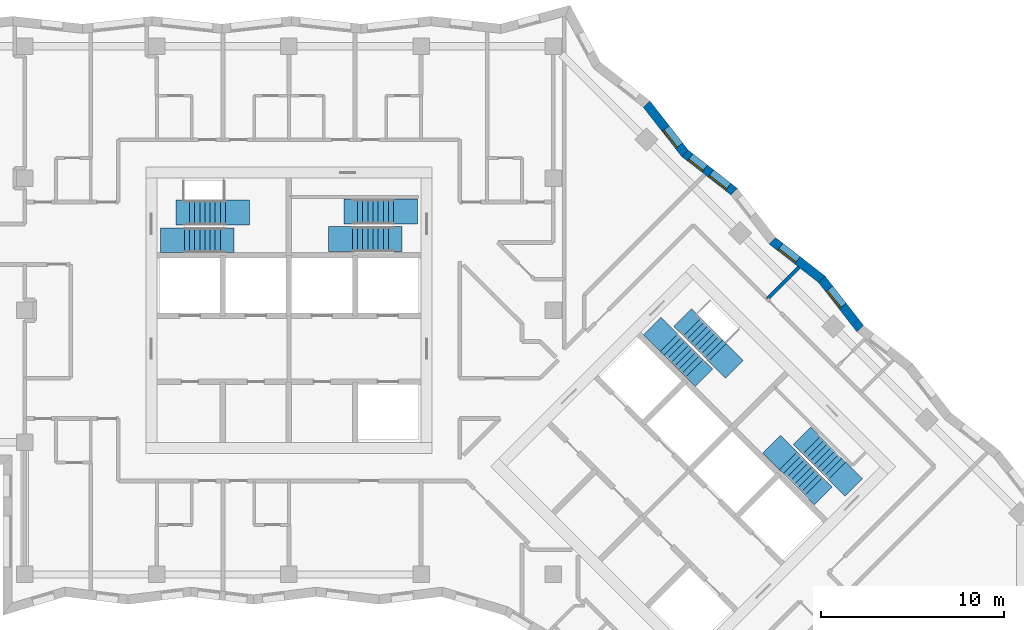
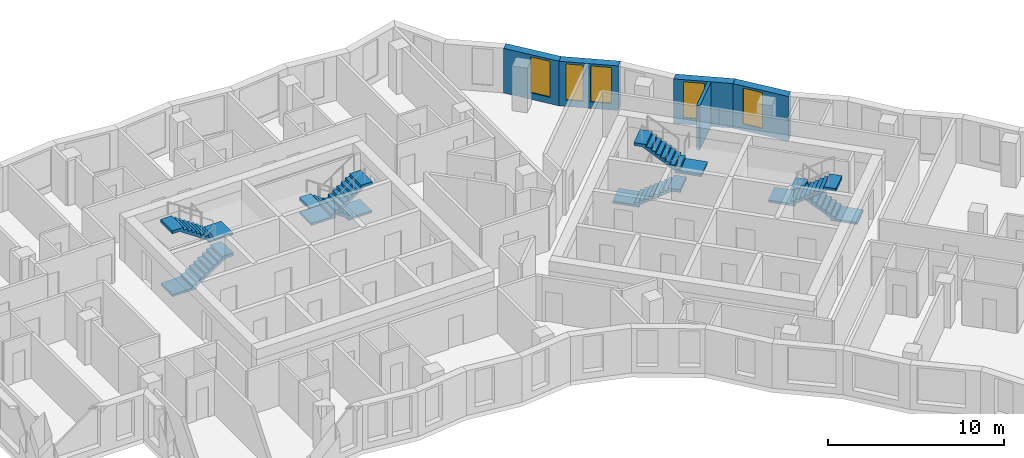
# One storey, part 10 of 12: 8 stair flights, 5 walls, 5 windows, 5 openings, 4 elements without a shape of their own.
"""IFC4 building model written with IfcOpenShell, lengths in metres."""

from ifc_helpers import new_model, si_unit, direction, frame, frame_2d, origin, place, context, subcontext, project, spatial, polyline, rectangle, outline, extrude, material, layer, layer_set, type_object, element, fill, aggregate, save


model = new_model("IFC4")

# Units and contexts
model_context = context("Model", 3, precision=1e-05, world=origin(), true_north=direction((0.0, 1.0)))
body_context = subcontext(model_context, "Body", "Model", "MODEL_VIEW")
ifc_project = project(units=[si_unit("LENGTHUNIT", "METRE"), si_unit("AREAUNIT", "SQUARE_METRE"), si_unit("VOLUMEUNIT", "CUBIC_METRE"), si_unit("PLANEANGLEUNIT", "RADIAN"), si_unit("MASSUNIT", "GRAM", prefix="KILO")], contexts=[model_context])

# Site, building, storey
site_placement = place(None, origin())
site = spatial("IfcSite", under=ifc_project, at=site_placement, CompositionType="ELEMENT")
building_placement = place(site_placement, origin())
building = spatial("IfcBuilding", under=site, at=building_placement, Name="Windrow Commons", CompositionType="ELEMENT")
storey_placement = place(building_placement, frame((0.0, 0.0, 149.0)))
storey = spatial("IfcBuildingStorey", under=building, at=storey_placement, Name="L40", CompositionType="ELEMENT", Elevation=149.0)

# Wall, opening, window
ifc_material_1 = material(Name="Brick masonry, red clay brick", Category="masonry")
ifc_layer_1 = layer(ifc_material_1, 0.5)
ifc_layer_set_1 = layer_set([ifc_layer_1], Name="Brick facade wall 500")
wall_type_1 = type_object("IfcWallType", Name="Brick facade wall 500", PredefinedType="SOLIDWALL", material=ifc_layer_set_1)
wall_1_placement = place(storey_placement, frame((95.9336, 56.6073, 0.0), z_axis=(0.0, 0.0, 1.0), x_axis=(-0.6142030344, 0.7891480422, 0.0)))
wall_1 = element("IfcWall", 1, at=wall_1_placement, inside=storey, type_object=wall_type_1, Name="Brick facade wall L40 12", PredefinedType="SOLIDWALL", context=body_context, shape_type="SweptSolid", body=[
    extrude(outline(polyline([(0.0312, -0.25), (3.434, -0.25), (3.3716, 0.25), (-0.0312, 0.25), (0.0312, -0.25)])), origin(), (0.0, 0.0, 1.0), 3.1),
])
opening_1_placement = place(wall_1_placement, frame((1.5485, 0.0, 0.45)))
opening_1 = element("IfcOpeningElement", 2, at=opening_1_placement, cuts=wall_1, Name="Opening W7E", PredefinedType="OPENING", context=body_context, shape_type="SweptSolid", body=[
    extrude(rectangle(XDim=1.2, YDim=2.5, at=frame_2d((0.6, 1.25))), frame((0.0, 0.26, 0.0), z_axis=(0.0, -1.0, 0.0), x_axis=(1.0, 0.0, 0.0)), (0.0, 0.0, 1.0), 0.52),
])
ifc_material_2 = material(Name="Clear float glass in anodised aluminium frame", Category="aluminium")
window_type_1 = type_object("IfcWindowType", Name="Window W7 notch 1200x2500", PartitioningType="SINGLE_PANEL", PredefinedType="WINDOW", material=ifc_material_2)
window_1_placement = place(opening_1_placement, origin())
window_1 = element("IfcWindow", 3, at=window_1_placement, inside=storey, type_object=window_type_1, Name="Window L40 12.1", OverallHeight=2.5, OverallWidth=1.2, PartitioningType="SINGLE_PANEL", PredefinedType="WINDOW", context=body_context, shape_type="SweptSolid", body=[
    extrude(rectangle(XDim=1.2, YDim=2.5, at=frame_2d((0.6, 1.25))), frame((0.0, 0.18, 0.0), z_axis=(0.0, -1.0, 0.0), x_axis=(1.0, 0.0, 0.0)), (0.0, 0.0, 1.0), 0.06),
])
fill(opening_1, window_1)

wall_2_placement = place(storey_placement, frame((93.8436, 59.2926, 0.0), z_axis=(0.0, 0.0, 1.0), x_axis=(-0.7891591282, 0.6141887905, 0.0)))
wall_2 = element("IfcWall", 4, at=wall_2_placement, inside=storey, type_object=wall_type_1, Name="Brick facade wall L40 13", PredefinedType="SOLIDWALL", context=body_context, shape_type="SweptSolid", body=[
    extrude(outline(polyline([(-0.0312, -0.25), (3.3716, -0.25), (3.434, 0.25), (0.0312, 0.25), (-0.0312, -0.25)])), origin(), (0.0, 0.0, 1.0), 3.1),
])
opening_2_placement = place(wall_2_placement, frame((1.6766, 0.0, 0.45)))
opening_2 = element("IfcOpeningElement", 5, at=opening_2_placement, cuts=wall_2, Name="Opening W7E", PredefinedType="OPENING", context=body_context, shape_type="SweptSolid", body=[
    extrude(rectangle(XDim=1.2, YDim=2.5, at=frame_2d((0.6, 1.25))), frame((0.0, 0.26, 0.0), z_axis=(0.0, -1.0, 0.0), x_axis=(1.0, 0.0, 0.0)), (0.0, 0.0, 1.0), 0.52),
])
window_2_placement = place(opening_2_placement, origin())
window_2 = element("IfcWindow", 6, at=window_2_placement, inside=storey, type_object=window_type_1, Name="Window L40 13.1", OverallHeight=2.5, OverallWidth=1.2, PartitioningType="SINGLE_PANEL", PredefinedType="WINDOW", context=body_context, shape_type="SweptSolid", body=[
    extrude(rectangle(XDim=1.2, YDim=2.5, at=frame_2d((0.6, 1.25))), frame((0.0, 0.18, 0.0), z_axis=(0.0, -1.0, 0.0), x_axis=(1.0, 0.0, 0.0)), (0.0, 0.0, 1.0), 0.06),
])
fill(opening_2, window_2)

# Wall, openings, windows
wall_3_placement = place(storey_placement, frame((89.0683, 64.0679, 0.0), z_axis=(0.0, 0.0, 1.0), x_axis=(-0.7891591282, 0.6141887905, 0.0)))
wall_3 = element("IfcWall", 7, at=wall_3_placement, inside=storey, type_object=wall_type_1, Name="Brick facade wall L40 15", PredefinedType="SOLIDWALL", context=body_context, shape_type="SweptSolid", body=[
    extrude(outline(polyline([(-0.0312, -0.25), (3.3716, -0.25), (3.434, 0.25), (0.0312, 0.25), (-0.0312, -0.25)])), origin(), (0.0, 0.0, 1.0), 3.1),
])
opening_3_placement = place(wall_3_placement, frame((0.4159, 0.0, 0.45)))
opening_3 = element("IfcOpeningElement", 8, at=opening_3_placement, cuts=wall_3, Name="Opening W7E", PredefinedType="OPENING", context=body_context, shape_type="SweptSolid", body=[
    extrude(rectangle(XDim=1.2, YDim=2.5, at=frame_2d((0.6, 1.25))), frame((0.0, 0.26, 0.0), z_axis=(0.0, -1.0, 0.0), x_axis=(1.0, 0.0, 0.0)), (0.0, 0.0, 1.0), 0.52),
])
opening_4_placement = place(wall_3_placement, frame((2.0429, 0.0, 0.45)))
opening_4 = element("IfcOpeningElement", 9, at=opening_4_placement, cuts=wall_3, Name="Opening W1S", PredefinedType="OPENING", context=body_context, shape_type="SweptSolid", body=[
    extrude(rectangle(XDim=1.0, YDim=2.5, at=frame_2d((0.5, 1.25))), frame((0.0, 0.26, 0.0), z_axis=(0.0, -1.0, 0.0), x_axis=(1.0, 0.0, 0.0)), (0.0, 0.0, 1.0), 0.52),
])
ifc_material_3 = material(Name="Clear float glass in anodised aluminium frame", Category="aluminium")
window_type_2 = type_object("IfcWindowType", Name="Window W1S slit 1000x2500", PartitioningType="SINGLE_PANEL", PredefinedType="WINDOW", material=ifc_material_3)
window_3_placement = place(opening_4_placement, origin())
window_3 = element("IfcWindow", 10, at=window_3_placement, inside=storey, type_object=window_type_2, Name="Window L40 15.2A", OverallHeight=2.5, OverallWidth=1.0, PartitioningType="SINGLE_PANEL", PredefinedType="WINDOW", context=body_context, shape_type="SweptSolid", body=[
    extrude(rectangle(XDim=1.0, YDim=2.5, at=frame_2d((0.5, 1.25))), frame((0.0, 0.18, 0.0), z_axis=(0.0, -1.0, 0.0), x_axis=(1.0, 0.0, 0.0)), (0.0, 0.0, 1.0), 0.06),
])
fill(opening_4, window_3)
window_4_placement = place(opening_3_placement, origin())
window_4 = element("IfcWindow", 11, at=window_4_placement, inside=storey, type_object=window_type_1, Name="Window L40 15.1", OverallHeight=2.5, OverallWidth=1.2, PartitioningType="SINGLE_PANEL", PredefinedType="WINDOW", context=body_context, shape_type="SweptSolid", body=[
    extrude(rectangle(XDim=1.2, YDim=2.5, at=frame_2d((0.6, 1.25))), frame((0.0, 0.18, 0.0), z_axis=(0.0, -1.0, 0.0), x_axis=(1.0, 0.0, 0.0)), (0.0, 0.0, 1.0), 0.06),
])
fill(opening_3, window_4)

# Wall, opening, window
wall_4_placement = place(storey_placement, frame((86.3829, 66.1579, 0.0), z_axis=(0.0, 0.0, 1.0), x_axis=(-0.6141887905, 0.7891591282, 0.0)))
wall_4 = element("IfcWall", 12, at=wall_4_placement, inside=storey, type_object=wall_type_1, Name="Brick facade wall L40 16", PredefinedType="SOLIDWALL", context=body_context, shape_type="SweptSolid", body=[
    extrude(outline(polyline([(0.0312, -0.25), (3.434, -0.25), (3.3716, 0.25), (-0.0312, 0.25), (0.0312, -0.25)])), origin(), (0.0, 0.0, 1.0), 3.1),
])
opening_5_placement = place(wall_4_placement, frame((0.5128, 0.0, 0.45)))
opening_5 = element("IfcOpeningElement", 13, at=opening_5_placement, cuts=wall_4, Name="Opening W7E", PredefinedType="OPENING", context=body_context, shape_type="SweptSolid", body=[
    extrude(rectangle(XDim=1.2, YDim=2.5, at=frame_2d((0.6, 1.25))), frame((0.0, 0.26, 0.0), z_axis=(0.0, -1.0, 0.0), x_axis=(1.0, 0.0, 0.0)), (0.0, 0.0, 1.0), 0.52),
])
window_5_placement = place(opening_5_placement, origin())
window_5 = element("IfcWindow", 14, at=window_5_placement, inside=storey, type_object=window_type_1, Name="Window L40 16.1", OverallHeight=2.5, OverallWidth=1.2, PartitioningType="SINGLE_PANEL", PredefinedType="WINDOW", context=body_context, shape_type="SweptSolid", body=[
    extrude(rectangle(XDim=1.2, YDim=2.5, at=frame_2d((0.6, 1.25))), frame((0.0, 0.18, 0.0), z_axis=(0.0, -1.0, 0.0), x_axis=(1.0, 0.0, 0.0)), (0.0, 0.0, 1.0), 0.06),
])
fill(opening_5, window_5)

# Wall
ifc_material_4 = material(Name="Blockwork partition", Category="masonry")
ifc_layer_2 = layer(ifc_material_4, 0.2)
ifc_layer_set_2 = layer_set([ifc_layer_2], Name="IW-PARTY-200")
wall_type_2 = type_object("IfcWallType", Name="IW-PARTY-200", PredefinedType="PARTITIONING", material=ifc_layer_set_2)
wall_5_placement = place(storey_placement, frame((90.8669, 58.2131, 0.0), z_axis=(0.0, 0.0, 1.0), x_axis=(0.7066165577, 0.707596665, 0.0)))
element("IfcWall", 15, at=wall_5_placement, inside=storey, type_object=wall_type_2, Name="W-L40-W096", PredefinedType="PARTITIONING", context=body_context, shape_type="SweptSolid", body=[
    extrude(rectangle(XDim=2.4487, YDim=0.2, at=frame_2d((1.2244, 0.0))), origin(), (0.0, 0.0, 1.0), 3.1),
])

# Stair, stair flights
ifc_material_5 = material(Name="Concrete C40/50", Category="concrete")
stair_type = type_object("IfcStairType", Name="Core stair", PredefinedType="HALF_TURN_STAIR", material=ifc_material_5)
placement = place(storey_placement, origin())
stair_1 = element("IfcStair", 16, at=placement, inside=storey, type_object=stair_type, Name="L40 Exit stair A1 core A", PredefinedType="HALF_TURN_STAIR")
ifc_material_6 = material(Name="Concrete C40/50", Category="concrete")
stair_flight_type = type_object("IfcStairFlightType", Name="Core stair flight", PredefinedType="STRAIGHT", material=ifc_material_6)
stair_flight_1_placement = place(storey_placement, frame((59.1, 61.425, 0.0), z_axis=(0.0, 0.0, 1.0), x_axis=(1.0, 0.0, 0.0)))
stair_flight_1 = element("IfcStairFlight", 17, at=stair_flight_1_placement, type_object=stair_flight_type, Name="ST-A1 flight 1", NumberOfRisers=9, NumberOfTreads=8, PredefinedType="STRAIGHT", RiserHeight=0.188888889, TreadLength=0.28, context=body_context, shape_type="SweptSolid", body=[
    extrude(outline(polyline([(-1.3, -0.15), (-1.3, 0.0), (0.0, 0.0), (0.0, 0.1889), (0.28, 0.1889), (0.28, 0.3778), (0.56, 0.3778), (0.56, 0.5667), (0.84, 0.5667), (0.84, 0.7556), (1.12, 0.7556), (1.12, 0.9444), (1.4, 0.9444), (1.4, 1.1333), (1.68, 1.1333), (1.68, 1.3222), (1.96, 1.3222), (1.96, 1.5111), (2.24, 1.5111), (2.69, 1.5111), (2.69, 1.3111), (2.24, 1.3111), (2.24, 1.3302), (0.2682, 0.0), (0.2682, -0.15), (-1.3, -0.15)])), frame((0.0, 0.675, 0.0), z_axis=(0.0, -1.0, 0.0), x_axis=(1.0, 0.0, 0.0)), (0.0, 0.0, 1.0), 1.35),
])
stair_flight_2_placement = place(storey_placement, frame((61.34, 62.925, 1.7), z_axis=(0.0, 0.0, 1.0), x_axis=(-1.0, 0.0, 0.0)))
stair_flight_2 = element("IfcStairFlight", 18, at=stair_flight_2_placement, type_object=stair_flight_type, Name="ST-A1 flight 2", NumberOfRisers=9, NumberOfTreads=8, PredefinedType="STRAIGHT", RiserHeight=0.188888889, TreadLength=0.28, context=body_context, shape_type="SweptSolid", body=[
    extrude(outline(polyline([(-1.3, -0.15), (-1.3, 0.0), (0.0, 0.0), (0.0, 0.1889), (0.28, 0.1889), (0.28, 0.3778), (0.56, 0.3778), (0.56, 0.5667), (0.84, 0.5667), (0.84, 0.7556), (1.12, 0.7556), (1.12, 0.9444), (1.4, 0.9444), (1.4, 1.1333), (1.68, 1.1333), (1.68, 1.3222), (1.96, 1.3222), (1.96, 1.5111), (2.24, 1.5111), (2.69, 1.5111), (2.69, 1.3111), (2.24, 1.3111), (2.24, 1.3302), (0.2682, 0.0), (0.2682, -0.15), (-1.3, -0.15)])), frame((0.0, 0.675, 0.0), z_axis=(0.0, -1.0, 0.0), x_axis=(1.0, 0.0, 0.0)), (0.0, 0.0, 1.0), 1.35),
])
aggregate(stair_1, [stair_flight_1, stair_flight_2])

stair_2 = element("IfcStair", 19, at=placement, inside=storey, type_object=stair_type, Name="L40 Exit stair A2 core A", PredefinedType="HALF_TURN_STAIR")
stair_flight_3_placement = place(storey_placement, frame((70.5, 62.98, 0.0), z_axis=(0.0, 0.0, 1.0), x_axis=(-1.0, 0.0, 0.0)))
stair_flight_3 = element("IfcStairFlight", 20, at=stair_flight_3_placement, type_object=stair_flight_type, Name="ST-A2 flight 1", NumberOfRisers=9, NumberOfTreads=8, PredefinedType="STRAIGHT", RiserHeight=0.188888889, TreadLength=0.28, context=body_context, shape_type="SweptSolid", body=[
    extrude(outline(polyline([(-1.3, -0.15), (-1.3, 0.0), (0.0, 0.0), (0.0, 0.1889), (0.28, 0.1889), (0.28, 0.3778), (0.56, 0.3778), (0.56, 0.5667), (0.84, 0.5667), (0.84, 0.7556), (1.12, 0.7556), (1.12, 0.9444), (1.4, 0.9444), (1.4, 1.1333), (1.68, 1.1333), (1.68, 1.3222), (1.96, 1.3222), (1.96, 1.5111), (2.24, 1.5111), (2.69, 1.5111), (2.69, 1.3111), (2.24, 1.3111), (2.24, 1.3302), (0.2682, 0.0), (0.2682, -0.15), (-1.3, -0.15)])), frame((0.0, 0.675, 0.0), z_axis=(0.0, -1.0, 0.0), x_axis=(1.0, 0.0, 0.0)), (0.0, 0.0, 1.0), 1.35),
])
stair_flight_4_placement = place(storey_placement, frame((68.26, 61.48, 1.7), z_axis=(0.0, 0.0, 1.0), x_axis=(1.0, 0.0, 0.0)))
stair_flight_4 = element("IfcStairFlight", 21, at=stair_flight_4_placement, type_object=stair_flight_type, Name="ST-A2 flight 2", NumberOfRisers=9, NumberOfTreads=8, PredefinedType="STRAIGHT", RiserHeight=0.188888889, TreadLength=0.28, context=body_context, shape_type="SweptSolid", body=[
    extrude(outline(polyline([(-1.3, -0.15), (-1.3, 0.0), (0.0, 0.0), (0.0, 0.1889), (0.28, 0.1889), (0.28, 0.3778), (0.56, 0.3778), (0.56, 0.5667), (0.84, 0.5667), (0.84, 0.7556), (1.12, 0.7556), (1.12, 0.9444), (1.4, 0.9444), (1.4, 1.1333), (1.68, 1.1333), (1.68, 1.3222), (1.96, 1.3222), (1.96, 1.5111), (2.24, 1.5111), (2.69, 1.5111), (2.69, 1.3111), (2.24, 1.3111), (2.24, 1.3302), (0.2682, 0.0), (0.2682, -0.15), (-1.3, -0.15)])), frame((0.0, 0.675, 0.0), z_axis=(0.0, -1.0, 0.0), x_axis=(1.0, 0.0, 0.0)), (0.0, 0.0, 1.0), 1.35),
])
aggregate(stair_2, [stair_flight_3, stair_flight_4])

stair_3 = element("IfcStair", 22, at=placement, inside=storey, type_object=stair_type, Name="L40 Exit stair B1 core B", PredefinedType="HALF_TURN_STAIR")
stair_flight_5_placement = place(storey_placement, frame((85.5109, 55.8249, 0.0), z_axis=(0.0, 0.0, 1.0), x_axis=(0.7071067812, -0.7071067812, 0.0)))
stair_flight_5 = element("IfcStairFlight", 23, at=stair_flight_5_placement, type_object=stair_flight_type, Name="ST-B1 flight 1", NumberOfRisers=9, NumberOfTreads=8, PredefinedType="STRAIGHT", RiserHeight=0.188888889, TreadLength=0.28, context=body_context, shape_type="SweptSolid", body=[
    extrude(outline(polyline([(-1.3, -0.15), (-1.3, 0.0), (0.0, 0.0), (0.0, 0.1889), (0.28, 0.1889), (0.28, 0.3778), (0.56, 0.3778), (0.56, 0.5667), (0.84, 0.5667), (0.84, 0.7556), (1.12, 0.7556), (1.12, 0.9444), (1.4, 0.9444), (1.4, 1.1333), (1.68, 1.1333), (1.68, 1.3222), (1.96, 1.3222), (1.96, 1.5111), (2.24, 1.5111), (2.69, 1.5111), (2.69, 1.3111), (2.24, 1.3111), (2.24, 1.3302), (0.2682, 0.0), (0.2682, -0.15), (-1.3, -0.15)])), frame((0.0, 0.675, 0.0), z_axis=(0.0, -1.0, 0.0), x_axis=(1.0, 0.0, 0.0)), (0.0, 0.0, 1.0), 1.35),
])
stair_flight_6_placement = place(storey_placement, frame((88.1555, 55.3017, 1.7), z_axis=(0.0, 0.0, 1.0), x_axis=(-0.7071067812, 0.7071067812, 0.0)))
stair_flight_6 = element("IfcStairFlight", 24, at=stair_flight_6_placement, type_object=stair_flight_type, Name="ST-B1 flight 2", NumberOfRisers=9, NumberOfTreads=8, PredefinedType="STRAIGHT", RiserHeight=0.188888889, TreadLength=0.28, context=body_context, shape_type="SweptSolid", body=[
    extrude(outline(polyline([(-1.3, -0.15), (-1.3, 0.0), (0.0, 0.0), (0.0, 0.1889), (0.28, 0.1889), (0.28, 0.3778), (0.56, 0.3778), (0.56, 0.5667), (0.84, 0.5667), (0.84, 0.7556), (1.12, 0.7556), (1.12, 0.9444), (1.4, 0.9444), (1.4, 1.1333), (1.68, 1.1333), (1.68, 1.3222), (1.96, 1.3222), (1.96, 1.5111), (2.24, 1.5111), (2.69, 1.5111), (2.69, 1.3111), (2.24, 1.3111), (2.24, 1.3302), (0.2682, 0.0), (0.2682, -0.15), (-1.3, -0.15)])), frame((0.0, 0.675, 0.0), z_axis=(0.0, -1.0, 0.0), x_axis=(1.0, 0.0, 0.0)), (0.0, 0.0, 1.0), 1.35),
])
aggregate(stair_3, [stair_flight_5, stair_flight_6])

stair_4 = element("IfcStair", 25, at=placement, inside=storey, type_object=stair_type, Name="L40 Exit stair B2 core B", PredefinedType="HALF_TURN_STAIR")
stair_flight_7_placement = place(storey_placement, frame((94.6715, 48.8635, 0.0), z_axis=(0.0, 0.0, 1.0), x_axis=(-0.7071067812, 0.7071067812, 0.0)))
stair_flight_7 = element("IfcStairFlight", 26, at=stair_flight_7_placement, type_object=stair_flight_type, Name="ST-B2 flight 1", NumberOfRisers=9, NumberOfTreads=8, PredefinedType="STRAIGHT", RiserHeight=0.188888889, TreadLength=0.28, context=body_context, shape_type="SweptSolid", body=[
    extrude(outline(polyline([(-1.3, -0.15), (-1.3, 0.0), (0.0, 0.0), (0.0, 0.1889), (0.28, 0.1889), (0.28, 0.3778), (0.56, 0.3778), (0.56, 0.5667), (0.84, 0.5667), (0.84, 0.7556), (1.12, 0.7556), (1.12, 0.9444), (1.4, 0.9444), (1.4, 1.1333), (1.68, 1.1333), (1.68, 1.3222), (1.96, 1.3222), (1.96, 1.5111), (2.24, 1.5111), (2.69, 1.5111), (2.69, 1.3111), (2.24, 1.3111), (2.24, 1.3302), (0.2682, 0.0), (0.2682, -0.15), (-1.3, -0.15)])), frame((0.0, 0.675, 0.0), z_axis=(0.0, -1.0, 0.0), x_axis=(1.0, 0.0, 0.0)), (0.0, 0.0, 1.0), 1.35),
])
stair_flight_8_placement = place(storey_placement, frame((92.0269, 49.3867, 1.7), z_axis=(0.0, 0.0, 1.0), x_axis=(0.7071067812, -0.7071067812, 0.0)))
stair_flight_8 = element("IfcStairFlight", 27, at=stair_flight_8_placement, type_object=stair_flight_type, Name="ST-B2 flight 2", NumberOfRisers=9, NumberOfTreads=8, PredefinedType="STRAIGHT", RiserHeight=0.188888889, TreadLength=0.28, context=body_context, shape_type="SweptSolid", body=[
    extrude(outline(polyline([(-1.3, -0.15), (-1.3, 0.0), (0.0, 0.0), (0.0, 0.1889), (0.28, 0.1889), (0.28, 0.3778), (0.56, 0.3778), (0.56, 0.5667), (0.84, 0.5667), (0.84, 0.7556), (1.12, 0.7556), (1.12, 0.9444), (1.4, 0.9444), (1.4, 1.1333), (1.68, 1.1333), (1.68, 1.3222), (1.96, 1.3222), (1.96, 1.5111), (2.24, 1.5111), (2.69, 1.5111), (2.69, 1.3111), (2.24, 1.3111), (2.24, 1.3302), (0.2682, 0.0), (0.2682, -0.15), (-1.3, -0.15)])), frame((0.0, 0.675, 0.0), z_axis=(0.0, -1.0, 0.0), x_axis=(1.0, 0.0, 0.0)), (0.0, 0.0, 1.0), 1.35),
])
aggregate(stair_4, [stair_flight_7, stair_flight_8])

save(model, "model.ifc")
